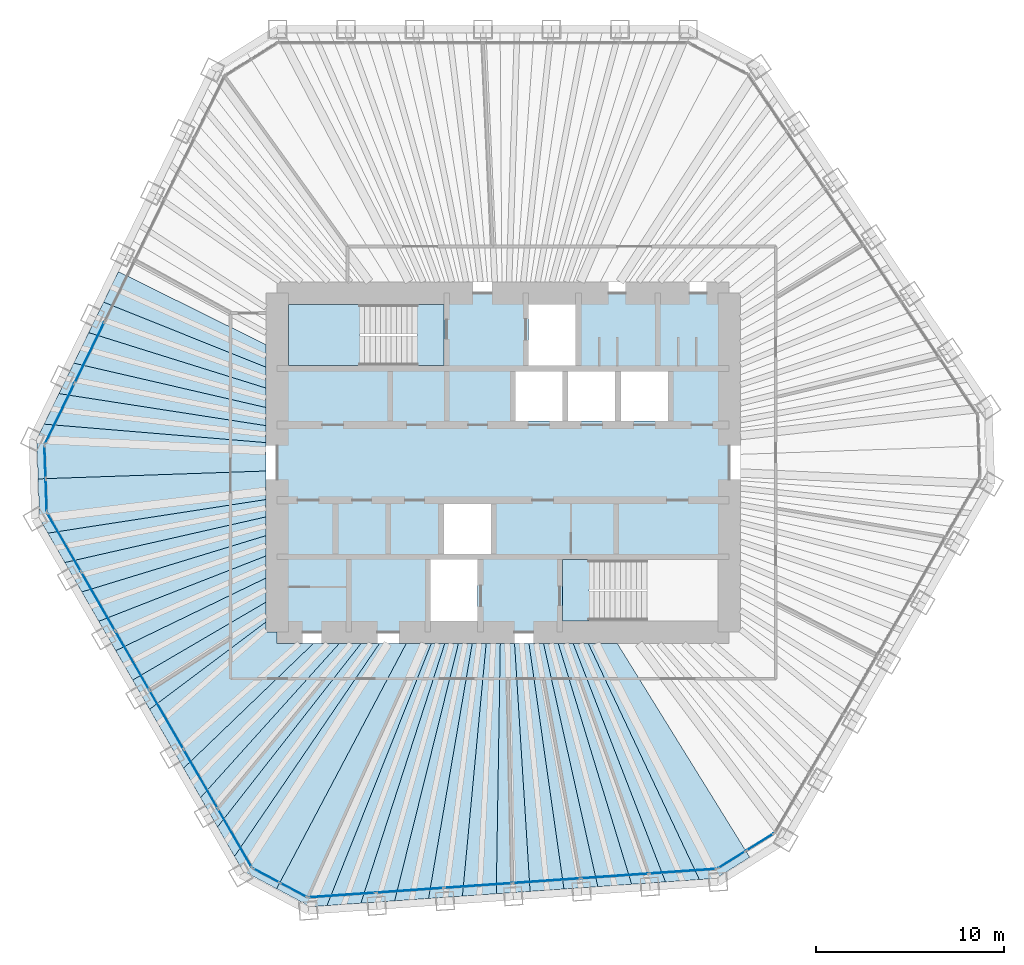
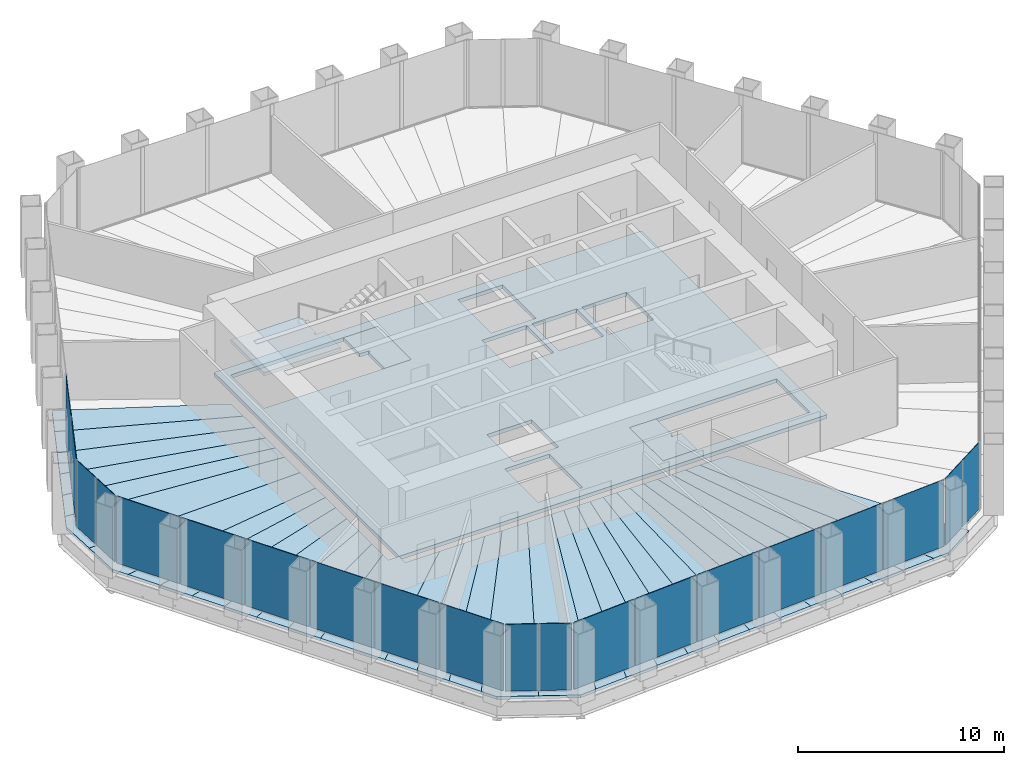
# One storey, part 8 of 13: 35 slabs, 20 plates, 8 elements without a shape of their own.
"""IFC4 building model written with IfcOpenShell, lengths in metres."""

from ifc_helpers import new_model, si_unit, direction, frame, origin, origin_2d, place, context, subcontext, project, spatial, polyline, rectangle, outline, extrude, material, layer, layer_set, type_object, element, aggregate, save


model = new_model("IFC4")

# Units and contexts
model_context = context("Model", 3, precision=1e-05, world=origin(), true_north=direction((0.0, 1.0)))
body_context = subcontext(model_context, "Body", "Model", "MODEL_VIEW")
ifc_project = project(units=[si_unit("LENGTHUNIT", "METRE"), si_unit("AREAUNIT", "SQUARE_METRE"), si_unit("VOLUMEUNIT", "CUBIC_METRE"), si_unit("PLANEANGLEUNIT", "RADIAN"), si_unit("MASSUNIT", "GRAM", prefix="KILO")], contexts=[model_context])

# Site, building, storey
site_placement = place(None, origin())
site = spatial("IfcSite", under=ifc_project, at=site_placement, CompositionType="ELEMENT")
building_placement = place(site_placement, origin())
building = spatial("IfcBuilding", under=site, at=building_placement, Name="Qingtian Harvest Tower", CompositionType="ELEMENT")
storey_placement = place(building_placement, frame((0.0, 0.0, 222.39990234375)))
storey = spatial("IfcBuildingStorey", under=building, at=storey_placement, Name="L48", CompositionType="ELEMENT", Elevation=222.39990234375)

# Slabs
ifc_material_1 = material(Name="Concrete fc' 35 MPa", Category="concrete")
ifc_layer_1 = layer(ifc_material_1, 0.169921875)
ifc_layer_set_1 = layer_set([ifc_layer_1], Name="Composite floor slab FS17 170")
slab_type_1 = type_object("IfcSlabType", Name="Composite floor slab FS17 170", PredefinedType="FLOOR", material=ifc_layer_set_1)
slab_1_placement = place(storey_placement, frame((0.0, 0.0, -0.169921875)))
element("IfcSlab", 1, at=slab_1_placement, inside=storey, type_object=slab_type_1, Name="Floor slab L48 panel D01", PredefinedType="FLOOR", context=body_context, shape_type="SweptSolid", body=[
    extrude(outline(polyline([(-24.6865234375, -0.862060546875), (-12.60009765625, -0.443115234375), (-12.60009765625, -1.958984375), (-24.17236328125, -3.742431640625), (-24.612548828125, -2.979736328125), (-24.6865234375, -0.862060546875)])), origin(), (0.0, 0.0, 1.0), 0.169921875),
])
slab_2_placement = place(storey_placement, frame((0.0, 0.0, -0.169921875)))
element("IfcSlab", 2, at=slab_2_placement, inside=storey, type_object=slab_type_1, Name="Floor slab L48 panel D02", PredefinedType="FLOOR", context=body_context, shape_type="SweptSolid", body=[
    extrude(outline(polyline([(-12.60009765625, -2.880126953125), (-23.271484375, -5.302490234375), (-24.17236328125, -3.742431640625), (-12.60009765625, -1.958984375), (-12.60009765625, -2.880126953125)])), origin(), (0.0, 0.0, 1.0), 0.169921875),
])
slab_3_placement = place(storey_placement, frame((0.0, 0.0, -0.169921875)))
element("IfcSlab", 3, at=slab_3_placement, inside=storey, type_object=slab_type_1, Name="Floor slab L48 panel D03", PredefinedType="FLOOR", context=body_context, shape_type="SweptSolid", body=[
    extrude(outline(polyline([(-12.60009765625, -3.87548828125), (-22.370849609375, -6.862548828125), (-23.271484375, -5.302490234375), (-12.60009765625, -2.880126953125), (-12.60009765625, -3.87548828125)])), origin(), (0.0, 0.0, 1.0), 0.169921875),
])
slab_4_placement = place(storey_placement, frame((0.0, 0.0, -0.169921875)))
element("IfcSlab", 4, at=slab_4_placement, inside=storey, type_object=slab_type_1, Name="Floor slab L48 panel D04", PredefinedType="FLOOR", context=body_context, shape_type="SweptSolid", body=[
    extrude(outline(polyline([(-12.60009765625, -4.95458984375), (-21.47021484375, -8.422607421875), (-22.370849609375, -6.862548828125), (-12.60009765625, -3.87548828125), (-12.60009765625, -4.95458984375)])), origin(), (0.0, 0.0, 1.0), 0.169921875),
])
slab_5_placement = place(storey_placement, frame((0.0, 0.0, -0.169921875)))
element("IfcSlab", 5, at=slab_5_placement, inside=storey, type_object=slab_type_1, Name="Floor slab L48 panel D05", PredefinedType="FLOOR", context=body_context, shape_type="SweptSolid", body=[
    extrude(outline(polyline([(-12.60009765625, -6.128173828125), (-20.569580078125, -9.982666015625), (-21.47021484375, -8.422607421875), (-12.60009765625, -4.95458984375), (-12.60009765625, -6.128173828125)])), origin(), (0.0, 0.0, 1.0), 0.169921875),
])
slab_6_placement = place(storey_placement, frame((0.0, 0.0, -0.169921875)))
element("IfcSlab", 6, at=slab_6_placement, inside=storey, type_object=slab_type_1, Name="Floor slab L48 panel D06", PredefinedType="FLOOR", context=body_context, shape_type="SweptSolid", body=[
    extrude(outline(polyline([(-12.60009765625, -7.409423828125), (-19.668701171875, -11.542724609375), (-20.569580078125, -9.982666015625), (-12.60009765625, -6.128173828125), (-12.60009765625, -7.409423828125)])), origin(), (0.0, 0.0, 1.0), 0.169921875),
])
slab_7_placement = place(storey_placement, frame((0.0, 0.0, -0.169921875)))
element("IfcSlab", 7, at=slab_7_placement, inside=storey, type_object=slab_type_1, Name="Floor slab L48 panel D07", PredefinedType="FLOOR", context=body_context, shape_type="SweptSolid", body=[
    extrude(outline(polyline([(-12.60009765625, -8.46435546875), (-18.771728515625, -13.0966796875), (-19.668701171875, -11.542724609375), (-12.60009765625, -7.409423828125), (-12.60009765625, -8.46435546875)])), origin(), (0.0, 0.0, 1.0), 0.169921875),
])
slab_8_placement = place(storey_placement, frame((0.0, 0.0, -0.169921875)))
element("IfcSlab", 8, at=slab_8_placement, inside=storey, type_object=slab_type_1, Name="Floor slab L48 panel D09", PredefinedType="FLOOR", context=body_context, shape_type="SweptSolid", body=[
    extrude(outline(polyline([(-16.967041015625, -16.22216796875), (-18.771728515625, -13.0966796875), (-12.60009765625, -8.46435546875), (-12.60009765625, -9.0), (-12.0, -9.0), (-12.0, -9.60009765625), (-10.07666015625, -9.60009765625), (-16.967041015625, -16.22216796875)])), origin(), (0.0, 0.0, 1.0), 0.169921875),
])
slab_9_placement = place(storey_placement, frame((0.0, 0.0, -0.169921875)))
element("IfcSlab", 9, at=slab_9_placement, inside=storey, type_object=slab_type_1, Name="Floor slab L48 panel D10", PredefinedType="FLOOR", context=body_context, shape_type="SweptSolid", body=[
    extrude(outline(polyline([(-8.700927734375, -9.60009765625), (-16.06640625, -17.7822265625), (-16.967041015625, -16.22216796875), (-10.07666015625, -9.60009765625), (-8.700927734375, -9.60009765625)])), origin(), (0.0, 0.0, 1.0), 0.169921875),
])
slab_10_placement = place(storey_placement, frame((0.0, 0.0, -0.169921875)))
element("IfcSlab", 10, at=slab_10_placement, inside=storey, type_object=slab_type_1, Name="Floor slab L48 panel D11", PredefinedType="FLOOR", context=body_context, shape_type="SweptSolid", body=[
    extrude(outline(polyline([(-7.548095703125, -9.60009765625), (-15.16552734375, -19.34228515625), (-16.06640625, -17.7822265625), (-8.700927734375, -9.60009765625), (-7.548095703125, -9.60009765625)])), origin(), (0.0, 0.0, 1.0), 0.169921875),
])
slab_11_placement = place(storey_placement, frame((0.0, 0.0, -0.169921875)))
element("IfcSlab", 11, at=slab_11_placement, inside=storey, type_object=slab_type_1, Name="Floor slab L48 panel D12", PredefinedType="FLOOR", context=body_context, shape_type="SweptSolid", body=[
    extrude(outline(polyline([(-6.568359375, -9.60009765625), (-14.264892578125, -20.90234375), (-15.16552734375, -19.34228515625), (-7.548095703125, -9.60009765625), (-6.568359375, -9.60009765625)])), origin(), (0.0, 0.0, 1.0), 0.169921875),
])
slab_12_placement = place(storey_placement, frame((0.0, 0.0, -0.169921875)))
element("IfcSlab", 12, at=slab_12_placement, inside=storey, type_object=slab_type_1, Name="Floor slab L48 panel D13", PredefinedType="FLOOR", context=body_context, shape_type="SweptSolid", body=[
    extrude(outline(polyline([(-6.568359375, -9.60009765625), (-5.14501953125, -9.60009765625), (-12.028076171875, -22.620361328125), (-13.82470703125, -21.6650390625), (-14.264892578125, -20.90234375), (-6.568359375, -9.60009765625)])), origin(), (0.0, 0.0, 1.0), 0.169921875),
])
slab_13_placement = place(storey_placement, frame((0.0, 0.0, -0.169921875)))
element("IfcSlab", 13, at=slab_13_placement, inside=storey, type_object=slab_type_1, Name="Floor slab L48 panel D14", PredefinedType="FLOOR", context=body_context, shape_type="SweptSolid", body=[
    extrude(outline(polyline([(-5.14501953125, -9.60009765625), (-3.817138671875, -9.60009765625), (-9.352294921875, -23.5146484375), (-10.23046875, -23.576171875), (-12.028076171875, -22.620361328125), (-5.14501953125, -9.60009765625)])), origin(), (0.0, 0.0, 1.0), 0.169921875),
])
slab_14_placement = place(storey_placement, frame((0.0, 0.0, -0.169921875)))
element("IfcSlab", 14, at=slab_14_placement, inside=storey, type_object=slab_type_1, Name="Floor slab L48 panel D15", PredefinedType="FLOOR", context=body_context, shape_type="SweptSolid", body=[
    extrude(outline(polyline([(-3.10009765625, -9.60009765625), (-7.55517578125, -23.388916015625), (-9.352294921875, -23.5146484375), (-3.817138671875, -9.60009765625), (-3.10009765625, -9.60009765625)])), origin(), (0.0, 0.0, 1.0), 0.169921875),
])
slab_15_placement = place(storey_placement, frame((0.0, 0.0, -0.169921875)))
element("IfcSlab", 15, at=slab_15_placement, inside=storey, type_object=slab_type_1, Name="Floor slab L48 panel D16", PredefinedType="FLOOR", context=body_context, shape_type="SweptSolid", body=[
    extrude(outline(polyline([(-2.375244140625, -9.60009765625), (-5.75830078125, -23.263427734375), (-7.55517578125, -23.388916015625), (-3.10009765625, -9.60009765625), (-2.375244140625, -9.60009765625)])), origin(), (0.0, 0.0, 1.0), 0.169921875),
])
slab_16_placement = place(storey_placement, frame((0.0, 0.0, -0.169921875)))
element("IfcSlab", 16, at=slab_16_placement, inside=storey, type_object=slab_type_1, Name="Floor slab L48 panel D17", PredefinedType="FLOOR", context=body_context, shape_type="SweptSolid", body=[
    extrude(outline(polyline([(-1.642578125, -9.60009765625), (-3.96142578125, -23.1376953125), (-5.75830078125, -23.263427734375), (-2.375244140625, -9.60009765625), (-1.642578125, -9.60009765625)])), origin(), (0.0, 0.0, 1.0), 0.169921875),
])
slab_17_placement = place(storey_placement, frame((0.0, 0.0, -0.169921875)))
element("IfcSlab", 17, at=slab_17_placement, inside=storey, type_object=slab_type_1, Name="Floor slab L48 panel D18", PredefinedType="FLOOR", context=body_context, shape_type="SweptSolid", body=[
    extrude(outline(polyline([(-0.90185546875, -9.60009765625), (-2.164306640625, -23.011962890625), (-3.96142578125, -23.1376953125), (-1.642578125, -9.60009765625), (-0.90185546875, -9.60009765625)])), origin(), (0.0, 0.0, 1.0), 0.169921875),
])
slab_18_placement = place(storey_placement, frame((0.0, 0.0, -0.169921875)))
element("IfcSlab", 18, at=slab_18_placement, inside=storey, type_object=slab_type_1, Name="Floor slab L48 panel D19", PredefinedType="FLOOR", context=body_context, shape_type="SweptSolid", body=[
    extrude(outline(polyline([(-0.153076171875, -9.60009765625), (-0.367431640625, -22.886474609375), (-2.164306640625, -23.011962890625), (-0.90185546875, -9.60009765625), (-0.153076171875, -9.60009765625)])), origin(), (0.0, 0.0, 1.0), 0.169921875),
])
slab_19_placement = place(storey_placement, frame((0.0, 0.0, -0.169921875)))
element("IfcSlab", 19, at=slab_19_placement, inside=storey, type_object=slab_type_1, Name="Floor slab L48 panel D20", PredefinedType="FLOOR", context=body_context, shape_type="SweptSolid", body=[
    extrude(outline(polyline([(0.60400390625, -9.60009765625), (1.4296875, -22.7607421875), (-0.367431640625, -22.886474609375), (-0.153076171875, -9.60009765625), (0.60400390625, -9.60009765625)])), origin(), (0.0, 0.0, 1.0), 0.169921875),
])
slab_20_placement = place(storey_placement, frame((0.0, 0.0, -0.169921875)))
element("IfcSlab", 20, at=slab_20_placement, inside=storey, type_object=slab_type_1, Name="Floor slab L48 panel D21", PredefinedType="FLOOR", context=body_context, shape_type="SweptSolid", body=[
    extrude(outline(polyline([(1.36962890625, -9.60009765625), (3.2265625, -22.635009765625), (1.4296875, -22.7607421875), (0.60400390625, -9.60009765625), (1.36962890625, -9.60009765625)])), origin(), (0.0, 0.0, 1.0), 0.169921875),
])
slab_21_placement = place(storey_placement, frame((0.0, 0.0, -0.169921875)))
element("IfcSlab", 21, at=slab_21_placement, inside=storey, type_object=slab_type_1, Name="Floor slab L48 panel D22", PredefinedType="FLOOR", context=body_context, shape_type="SweptSolid", body=[
    extrude(outline(polyline([(2.1435546875, -9.60009765625), (5.023681640625, -22.509521484375), (3.2265625, -22.635009765625), (1.36962890625, -9.60009765625), (2.1435546875, -9.60009765625)])), origin(), (0.0, 0.0, 1.0), 0.169921875),
])
slab_22_placement = place(storey_placement, frame((0.0, 0.0, -0.169921875)))
element("IfcSlab", 22, at=slab_22_placement, inside=storey, type_object=slab_type_1, Name="Floor slab L48 panel D23", PredefinedType="FLOOR", context=body_context, shape_type="SweptSolid", body=[
    extrude(outline(polyline([(2.92626953125, -9.60009765625), (6.820556640625, -22.3837890625), (5.023681640625, -22.509521484375), (2.1435546875, -9.60009765625), (2.92626953125, -9.60009765625)])), origin(), (0.0, 0.0, 1.0), 0.169921875),
])
slab_23_placement = place(storey_placement, frame((0.0, 0.0, -0.169921875)))
element("IfcSlab", 23, at=slab_23_placement, inside=storey, type_object=slab_type_1, Name="Floor slab L48 panel D24", PredefinedType="FLOOR", context=body_context, shape_type="SweptSolid", body=[
    extrude(outline(polyline([(3.718017578125, -9.60009765625), (8.61767578125, -22.258056640625), (6.820556640625, -22.3837890625), (2.92626953125, -9.60009765625), (3.718017578125, -9.60009765625)])), origin(), (0.0, 0.0, 1.0), 0.169921875),
])
slab_24_placement = place(storey_placement, frame((0.0, 0.0, -0.169921875)))
element("IfcSlab", 24, at=slab_24_placement, inside=storey, type_object=slab_type_1, Name="Floor slab L48 panel D25", PredefinedType="FLOOR", context=body_context, shape_type="SweptSolid", body=[
    extrude(outline(polyline([(4.5185546875, -9.60009765625), (10.41455078125, -22.13232421875), (8.61767578125, -22.258056640625), (3.718017578125, -9.60009765625), (4.5185546875, -9.60009765625)])), origin(), (0.0, 0.0, 1.0), 0.169921875),
])
slab_25_placement = place(storey_placement, frame((0.0, 0.0, -0.169921875)))
element("IfcSlab", 25, at=slab_25_placement, inside=storey, type_object=slab_type_1, Name="Floor slab L48 panel D26", PredefinedType="FLOOR", context=body_context, shape_type="SweptSolid", body=[
    extrude(outline(polyline([(4.5185546875, -9.60009765625), (6.059326171875, -9.60009765625), (13.090576171875, -20.94775390625), (11.292724609375, -22.071044921875), (10.41455078125, -22.13232421875), (4.5185546875, -9.60009765625)])), origin(), (0.0, 0.0, 1.0), 0.169921875),
])
slab_26_placement = place(storey_placement, frame((0.0, 0.0, -0.169921875)))
element("IfcSlab", 26, at=slab_26_placement, inside=storey, type_object=slab_type_1, Name="Floor slab L48 panel D73", PredefinedType="FLOOR", context=body_context, shape_type="SweptSolid", body=[
    extrude(outline(polyline([(-12.60009765625, 5.072509765625), (-21.2158203125, 8.5234375), (-20.426025390625, 10.142578125), (-12.60009765625, 6.268310546875), (-12.60009765625, 5.072509765625)])), origin(), (0.0, 0.0, 1.0), 0.169921875),
])
slab_27_placement = place(storey_placement, frame((0.0, 0.0, -0.169921875)))
element("IfcSlab", 27, at=slab_27_placement, inside=storey, type_object=slab_type_1, Name="Floor slab L48 panel D74", PredefinedType="FLOOR", context=body_context, shape_type="SweptSolid", body=[
    extrude(outline(polyline([(-12.60009765625, 3.962890625), (-22.00537109375, 6.904296875), (-21.2158203125, 8.5234375), (-12.60009765625, 5.072509765625), (-12.60009765625, 3.962890625)])), origin(), (0.0, 0.0, 1.0), 0.169921875),
])
slab_28_placement = place(storey_placement, frame((0.0, 0.0, -0.169921875)))
element("IfcSlab", 28, at=slab_28_placement, inside=storey, type_object=slab_type_1, Name="Floor slab L48 panel D75", PredefinedType="FLOOR", context=body_context, shape_type="SweptSolid", body=[
    extrude(outline(polyline([(-12.60009765625, 2.929931640625), (-22.795166015625, 5.28515625), (-22.00537109375, 6.904296875), (-12.60009765625, 3.962890625), (-12.60009765625, 2.929931640625)])), origin(), (0.0, 0.0, 1.0), 0.169921875),
])
slab_29_placement = place(storey_placement, frame((0.0, 0.0, -0.169921875)))
element("IfcSlab", 29, at=slab_29_placement, inside=storey, type_object=slab_type_1, Name="Floor slab L48 panel D76", PredefinedType="FLOOR", context=body_context, shape_type="SweptSolid", body=[
    extrude(outline(polyline([(-12.60009765625, 1.96630859375), (-23.584716796875, 3.666259765625), (-22.795166015625, 5.28515625), (-12.60009765625, 2.929931640625), (-12.60009765625, 1.96630859375)])), origin(), (0.0, 0.0, 1.0), 0.169921875),
])
slab_30_placement = place(storey_placement, frame((0.0, 0.0, -0.169921875)))
element("IfcSlab", 30, at=slab_30_placement, inside=storey, type_object=slab_type_1, Name="Floor slab L48 panel D77", PredefinedType="FLOOR", context=body_context, shape_type="SweptSolid", body=[
    extrude(outline(polyline([(-12.60009765625, 1.065185546875), (-24.37451171875, 2.047119140625), (-23.584716796875, 3.666259765625), (-12.60009765625, 1.96630859375), (-12.60009765625, 1.065185546875)])), origin(), (0.0, 0.0, 1.0), 0.169921875),
])
slab_31_placement = place(storey_placement, frame((0.0, 0.0, -0.169921875)))
element("IfcSlab", 31, at=slab_31_placement, inside=storey, type_object=slab_type_1, Name="Floor slab L48 panel D78", PredefinedType="FLOOR", context=body_context, shape_type="SweptSolid", body=[
    extrude(outline(polyline([(-12.60009765625, 1.065185546875), (-12.60009765625, -0.443115234375), (-24.6865234375, -0.862060546875), (-24.760498046875, 1.255615234375), (-24.37451171875, 2.047119140625), (-12.60009765625, 1.065185546875)])), origin(), (0.0, 0.0, 1.0), 0.169921875),
])
ifc_material_2 = material(Name="Concrete fc' 35 MPa", Category="concrete")
ifc_layer_2 = layer(ifc_material_2, 0.219970703125)
ifc_layer_set_2 = layer_set([ifc_layer_2], Name="Core floor slab CS22 220")
slab_type_2 = type_object("IfcSlabType", Name="Core floor slab CS22 220", PredefinedType="FLOOR", material=ifc_layer_set_2)
slab_32_placement = place(storey_placement, frame((0.0, 0.0, -0.219970703125)))
element("IfcSlab", 32, at=slab_32_placement, inside=storey, type_object=slab_type_2, Name="Core floor slab L48", PredefinedType="FLOOR", context=body_context, shape_type="SweptSolid", body=[
    extrude(outline(polyline([(-12.0, -9.0), (12.0, -9.0), (12.0, 9.0), (-12.0, 9.0), (-12.0, -9.0)]), holes=[polyline([(-11.39990234375, 5.14990234375), (-3.14990234375, 5.14990234375), (-3.14990234375, 8.39990234375), (-11.39990234375, 8.39990234375), (-11.39990234375, 5.14990234375)]), polyline([(3.14990234375, -8.39990234375), (11.39990234375, -8.39990234375), (11.39990234375, -5.14990234375), (3.14990234375, -5.14990234375), (3.14990234375, -8.39990234375)]), polyline([(1.35009765625, 5.14990234375), (3.85009765625, 5.14990234375), (3.85009765625, 8.39990234375), (1.35009765625, 8.39990234375), (1.35009765625, 5.14990234375)]), polyline([(-3.85009765625, -8.39990234375), (-1.35009765625, -8.39990234375), (-1.35009765625, -5.14990234375), (-3.85009765625, -5.14990234375), (-3.85009765625, -8.39990234375)]), polyline([(0.64990234375, 2.199951171875), (3.14990234375, 2.199951171875), (3.14990234375, 4.85009765625), (0.64990234375, 4.85009765625), (0.64990234375, 2.199951171875)]), polyline([(3.449951171875, 2.199951171875), (5.949951171875, 2.199951171875), (5.949951171875, 4.85009765625), (3.449951171875, 4.85009765625), (3.449951171875, 2.199951171875)]), polyline([(6.25, 2.199951171875), (8.75, 2.199951171875), (8.75, 4.85009765625), (6.25, 4.85009765625), (6.25, 2.199951171875)]), polyline([(-3.14990234375, -4.85009765625), (-0.64990234375, -4.85009765625), (-0.64990234375, -2.199951171875), (-3.14990234375, -2.199951171875), (-3.14990234375, -4.85009765625)])]), origin(), (0.0, 0.0, 1.0), 0.219970703125),
])

# Curtain wall, plates
ifc_material_3 = material(Name="Bronze-anodised aluminium curtain wall", Category="aluminium")
curtain_wall_type = type_object("IfcCurtainWallType", Name="Curtain wall CW4 office", PredefinedType="USERDEFINED", material=ifc_material_3)
curtain_wall_1_placement = place(storey_placement, origin())
curtain_wall_1 = element("IfcCurtainWall", 33, at=curtain_wall_1_placement, inside=storey, type_object=curtain_wall_type, Name="Curtain wall CW4 L48 SEC", ObjectType="RECESSED CURTAIN WALL", PredefinedType="USERDEFINED")
ifc_material_4 = material(Name="Bronze-tinted laminated insulating glass", Category="glass")
ifc_layer_3 = layer(ifc_material_4, 0.030029296875)
ifc_layer_set_3 = layer_set([ifc_layer_3], Name="Glazed panel CWP tinted IGU")
plate_type = type_object("IfcPlateType", Name="Glazed panel CWP tinted IGU", PredefinedType="CURTAIN_PANEL", material=ifc_layer_set_3)
plate_1_placement = place(storey_placement, frame((13.624755859375, -20.1455078125, 0.06494140625), z_axis=(0.0, 0.0, 1.0), x_axis=(-0.848048096156, -0.529919264233, 0.0)))
plate_1 = element("IfcPlate", 34, at=plate_1_placement, type_object=plate_type, Name="CW4 panel 1.1", PredefinedType="CURTAIN_PANEL", context=body_context, shape_type="SweptSolid", body=[
    extrude(rectangle(XDim=1.69287109375, YDim=0.030029296875, at=origin_2d()), origin(), (0.0, 0.0, 1.0), 3.965087890625),
])
plate_2_placement = place(storey_placement, frame((12.134033203125, -21.076904296875, 0.06494140625), z_axis=(0.0, 0.0, 1.0), x_axis=(-0.848048096156, -0.529919264233, 0.0)))
plate_2 = element("IfcPlate", 35, at=plate_2_placement, type_object=plate_type, Name="CW4 panel 2.1", PredefinedType="CURTAIN_PANEL", context=body_context, shape_type="SweptSolid", body=[
    extrude(rectangle(XDim=1.69287109375, YDim=0.030029296875, at=origin_2d()), origin(), (0.0, 0.0, 1.0), 3.965087890625),
])
aggregate(curtain_wall_1, [plate_1, plate_2])

curtain_wall_2_placement = place(storey_placement, origin())
curtain_wall_2 = element("IfcCurtainWall", 36, at=curtain_wall_2_placement, inside=storey, type_object=curtain_wall_type, Name="Curtain wall CW4 L48 S0-5", ObjectType="RECESSED CURTAIN WALL", PredefinedType="USERDEFINED")
plate_3_placement = place(storey_placement, frame((9.532470703125, -21.68798828125, 0.06494140625), z_axis=(0.0, 0.0, 1.0), x_axis=(-0.99756405026, -0.069756473744, 0.0)))
plate_3 = element("IfcPlate", 37, at=plate_3_placement, type_object=plate_type, Name="CW4 panel 1.1", PredefinedType="CURTAIN_PANEL", context=body_context, shape_type="SweptSolid", body=[
    extrude(rectangle(XDim=3.5361328125, YDim=0.030029296875, at=origin_2d()), origin(), (0.0, 0.0, 1.0), 3.965087890625),
])
plate_4_placement = place(storey_placement, frame((5.923828125, -21.940185546875, 0.06494140625), z_axis=(0.0, 0.0, 1.0), x_axis=(-0.99756405026, -0.069756473744, 0.0)))
plate_4 = element("IfcPlate", 38, at=plate_4_placement, type_object=plate_type, Name="CW4 panel 2.1", PredefinedType="CURTAIN_PANEL", context=body_context, shape_type="SweptSolid", body=[
    extrude(rectangle(XDim=3.568603515625, YDim=0.030029296875, at=origin_2d()), origin(), (0.0, 0.0, 1.0), 3.965087890625),
])
plate_5_placement = place(storey_placement, frame((2.299072265625, -22.193603515625, 0.06494140625), z_axis=(0.0, 0.0, 1.0), x_axis=(-0.99756405026, -0.069756473744, 0.0)))
plate_5 = element("IfcPlate", 39, at=plate_5_placement, type_object=plate_type, Name="CW4 panel 3.1", PredefinedType="CURTAIN_PANEL", context=body_context, shape_type="SweptSolid", body=[
    extrude(rectangle(XDim=3.568603515625, YDim=0.030029296875, at=origin_2d()), origin(), (0.0, 0.0, 1.0), 3.965087890625),
])
plate_6_placement = place(storey_placement, frame((-1.325439453125, -22.447021484375, 0.06494140625), z_axis=(0.0, 0.0, 1.0), x_axis=(-0.99756405026, -0.069756473744, 0.0)))
plate_6 = element("IfcPlate", 40, at=plate_6_placement, type_object=plate_type, Name="CW4 panel 4.1", PredefinedType="CURTAIN_PANEL", context=body_context, shape_type="SweptSolid", body=[
    extrude(rectangle(XDim=3.568603515625, YDim=0.030029296875, at=origin_2d()), origin(), (0.0, 0.0, 1.0), 3.965087890625),
])
plate_7_placement = place(storey_placement, frame((-4.9501953125, -22.70068359375, 0.06494140625), z_axis=(0.0, 0.0, 1.0), x_axis=(-0.99756405026, -0.069756473744, 0.0)))
plate_7 = element("IfcPlate", 41, at=plate_7_placement, type_object=plate_type, Name="CW4 panel 5.1", PredefinedType="CURTAIN_PANEL", context=body_context, shape_type="SweptSolid", body=[
    extrude(rectangle(XDim=3.568603515625, YDim=0.030029296875, at=origin_2d()), origin(), (0.0, 0.0, 1.0), 3.965087890625),
])
plate_8_placement = place(storey_placement, frame((-8.55859375, -22.952880859375, 0.06494140625), z_axis=(0.0, 0.0, 1.0), x_axis=(-0.99756405026, -0.069756473744, 0.0)))
plate_8 = element("IfcPlate", 42, at=plate_8_placement, type_object=plate_type, Name="CW4 panel 6.1", PredefinedType="CURTAIN_PANEL", context=body_context, shape_type="SweptSolid", body=[
    extrude(rectangle(XDim=3.5361328125, YDim=0.030029296875, at=origin_2d()), origin(), (0.0, 0.0, 1.0), 3.965087890625),
])
aggregate(curtain_wall_2, [plate_3, plate_4, plate_5, plate_6, plate_7, plate_8])

curtain_wall_3_placement = place(storey_placement, origin())
curtain_wall_3 = element("IfcCurtainWall", 43, at=curtain_wall_3_placement, inside=storey, type_object=curtain_wall_type, Name="Curtain wall CW4 L48 SC", ObjectType="RECESSED CURTAIN WALL", PredefinedType="USERDEFINED")
plate_9_placement = place(storey_placement, frame((-11.136474609375, -22.682373046875, 0.06494140625), z_axis=(0.0, 0.0, 1.0), x_axis=(-0.882947592859, 0.469471562786, 0.0)))
plate_9 = element("IfcPlate", 44, at=plate_9_placement, type_object=plate_type, Name="CW4 panel 1.1", PredefinedType="CURTAIN_PANEL", context=body_context, shape_type="SweptSolid", body=[
    extrude(rectangle(XDim=1.56689453125, YDim=0.030029296875, at=origin_2d()), origin(), (0.0, 0.0, 1.0), 3.965087890625),
])
plate_10_placement = place(storey_placement, frame((-12.5771484375, -21.916259765625, 0.06494140625), z_axis=(0.0, 0.0, 1.0), x_axis=(-0.882947592859, 0.469471562786, 0.0)))
plate_10 = element("IfcPlate", 45, at=plate_10_placement, type_object=plate_type, Name="CW4 panel 2.1", PredefinedType="CURTAIN_PANEL", context=body_context, shape_type="SweptSolid", body=[
    extrude(rectangle(XDim=1.56689453125, YDim=0.030029296875, at=origin_2d()), origin(), (0.0, 0.0, 1.0), 3.965087890625),
])
aggregate(curtain_wall_3, [plate_9, plate_10])

curtain_wall_4_placement = place(storey_placement, origin())
curtain_wall_4 = element("IfcCurtainWall", 46, at=curtain_wall_4_placement, inside=storey, type_object=curtain_wall_type, Name="Curtain wall CW4 L48 SW0-5", ObjectType="RECESSED CURTAIN WALL", PredefinedType="USERDEFINED")
plate_11_placement = place(storey_placement, frame((-14.242919921875, -19.9306640625, 0.06494140625), z_axis=(0.0, 0.0, 1.0), x_axis=(-0.5, 0.866025403784, 0.0)))
plate_11 = element("IfcPlate", 47, at=plate_11_placement, type_object=plate_type, Name="CW4 panel 1.1", PredefinedType="CURTAIN_PANEL", context=body_context, shape_type="SweptSolid", body=[
    extrude(rectangle(XDim=3.5361328125, YDim=0.030029296875, at=origin_2d()), origin(), (0.0, 0.0, 1.0), 3.965087890625),
])
plate_12_placement = place(storey_placement, frame((-16.051513671875, -16.7978515625, 0.06494140625), z_axis=(0.0, 0.0, 1.0), x_axis=(-0.5, 0.866025403784, 0.0)))
plate_12 = element("IfcPlate", 48, at=plate_12_placement, type_object=plate_type, Name="CW4 panel 2.1", PredefinedType="CURTAIN_PANEL", context=body_context, shape_type="SweptSolid", body=[
    extrude(rectangle(XDim=3.568603515625, YDim=0.030029296875, at=origin_2d()), origin(), (0.0, 0.0, 1.0), 3.965087890625),
])
plate_13_placement = place(storey_placement, frame((-17.868408203125, -13.651123046875, 0.06494140625), z_axis=(0.0, 0.0, 1.0), x_axis=(-0.5, 0.866025403784, 0.0)))
plate_13 = element("IfcPlate", 49, at=plate_13_placement, type_object=plate_type, Name="CW4 panel 3.1", PredefinedType="CURTAIN_PANEL", context=body_context, shape_type="SweptSolid", body=[
    extrude(rectangle(XDim=3.568603515625, YDim=0.030029296875, at=origin_2d()), origin(), (0.0, 0.0, 1.0), 3.965087890625),
])
plate_14_placement = place(storey_placement, frame((-19.68505859375, -10.50439453125, 0.06494140625), z_axis=(0.0, 0.0, 1.0), x_axis=(-0.5, 0.866025403784, 0.0)))
plate_14 = element("IfcPlate", 50, at=plate_14_placement, type_object=plate_type, Name="CW4 panel 4.1", PredefinedType="CURTAIN_PANEL", context=body_context, shape_type="SweptSolid", body=[
    extrude(rectangle(XDim=3.568603515625, YDim=0.030029296875, at=origin_2d()), origin(), (0.0, 0.0, 1.0), 3.965087890625),
])
plate_15_placement = place(storey_placement, frame((-21.501953125, -7.357666015625, 0.06494140625), z_axis=(0.0, 0.0, 1.0), x_axis=(-0.5, 0.866025403784, 0.0)))
plate_15 = element("IfcPlate", 51, at=plate_15_placement, type_object=plate_type, Name="CW4 panel 5.1", PredefinedType="CURTAIN_PANEL", context=body_context, shape_type="SweptSolid", body=[
    extrude(rectangle(XDim=3.568603515625, YDim=0.030029296875, at=origin_2d()), origin(), (0.0, 0.0, 1.0), 3.965087890625),
])
plate_16_placement = place(storey_placement, frame((-23.310546875, -4.22509765625, 0.06494140625), z_axis=(0.0, 0.0, 1.0), x_axis=(-0.5, 0.866025403784, 0.0)))
plate_16 = element("IfcPlate", 52, at=plate_16_placement, type_object=plate_type, Name="CW4 panel 6.1", PredefinedType="CURTAIN_PANEL", context=body_context, shape_type="SweptSolid", body=[
    extrude(rectangle(XDim=3.5361328125, YDim=0.030029296875, at=origin_2d()), origin(), (0.0, 0.0, 1.0), 3.965087890625),
])
aggregate(curtain_wall_4, [plate_11, plate_12, plate_13, plate_14, plate_15, plate_16])

curtain_wall_5_placement = place(storey_placement, origin())
curtain_wall_5 = element("IfcCurtainWall", 53, at=curtain_wall_5_placement, inside=storey, type_object=curtain_wall_type, Name="Curtain wall CW4 L48 SWC", ObjectType="RECESSED CURTAIN WALL", PredefinedType="USERDEFINED")
plate_17_placement = place(storey_placement, frame((-24.2587890625, -1.7265625, 0.06494140625), z_axis=(0.0, 0.0, 1.0), x_axis=(-0.034899496703, 0.999390827019, 0.0)))
plate_17 = element("IfcPlate", 54, at=plate_17_placement, type_object=plate_type, Name="CW4 panel 1.1", PredefinedType="CURTAIN_PANEL", context=body_context, shape_type="SweptSolid", body=[
    extrude(rectangle(XDim=1.69287109375, YDim=0.030029296875, at=origin_2d()), origin(), (0.0, 0.0, 1.0), 3.965087890625),
])
plate_18_placement = place(storey_placement, frame((-24.320068359375, 0.0302734375, 0.06494140625), z_axis=(0.0, 0.0, 1.0), x_axis=(-0.034899496703, 0.999390827019, 0.0)))
plate_18 = element("IfcPlate", 55, at=plate_18_placement, type_object=plate_type, Name="CW4 panel 2.1", PredefinedType="CURTAIN_PANEL", context=body_context, shape_type="SweptSolid", body=[
    extrude(rectangle(XDim=1.69287109375, YDim=0.030029296875, at=origin_2d()), origin(), (0.0, 0.0, 1.0), 3.965087890625),
])
aggregate(curtain_wall_5, [plate_17, plate_18])

curtain_wall_6_placement = place(storey_placement, origin())
curtain_wall_6 = element("IfcCurtainWall", 56, at=curtain_wall_6_placement, inside=storey, type_object=curtain_wall_type, Name="Curtain wall CW4 L48 NW0-5", ObjectType="RECESSED CURTAIN WALL", PredefinedType="USERDEFINED")
plate_19_placement = place(storey_placement, frame((-23.54833984375, 2.588623046875, 0.06494140625), z_axis=(0.0, 0.0, 1.0), x_axis=(0.438371146789, 0.898794046299, 0.0)))
plate_19 = element("IfcPlate", 57, at=plate_19_placement, type_object=plate_type, Name="CW4 panel 1.1", PredefinedType="CURTAIN_PANEL", context=body_context, shape_type="SweptSolid", body=[
    extrude(rectangle(XDim=3.5361328125, YDim=0.030029296875, at=origin_2d()), origin(), (0.0, 0.0, 1.0), 3.965087890625),
])
plate_20_placement = place(storey_placement, frame((-21.962646484375, 5.83984375, 0.06494140625), z_axis=(0.0, 0.0, 1.0), x_axis=(0.438371146789, 0.898794046299, 0.0)))
plate_20 = element("IfcPlate", 58, at=plate_20_placement, type_object=plate_type, Name="CW4 panel 2.1", PredefinedType="CURTAIN_PANEL", context=body_context, shape_type="SweptSolid", body=[
    extrude(rectangle(XDim=3.568603515625, YDim=0.030029296875, at=origin_2d()), origin(), (0.0, 0.0, 1.0), 3.965087890625),
])
aggregate(curtain_wall_6, [plate_19, plate_20])

# Stair, slabs
ifc_material_5 = material(Name="Concrete fc' 35 MPa", Category="concrete")
stair_type = type_object("IfcStairType", Name="Special stair ST4 4200", PredefinedType="HALF_TURN_STAIR", material=ifc_material_5)
stair_1_placement = place(storey_placement, origin())
stair_1 = element("IfcStair", 59, at=stair_1_placement, inside=storey, type_object=stair_type, Name="Special stair S1 L48", PredefinedType="HALF_TURN_STAIR")
ifc_material_6 = material(Name="Concrete fc' 35 MPa", Category="concrete")
ifc_layer_4 = layer(ifc_material_6, 0.199951171875)
ifc_layer_set_4 = layer_set([ifc_layer_4], Name="Stair landing SL2 200")
slab_type_3 = type_object("IfcSlabType", Name="Stair landing SL2 200", PredefinedType="LANDING", material=ifc_layer_set_4)
slab_33_placement = place(storey_placement, frame((0.0, 0.0, -0.199951171875)))
slab_33 = element("IfcSlab", 60, at=slab_33_placement, type_object=slab_type_3, Name="S1 landing 1", PredefinedType="LANDING", context=body_context, shape_type="SweptSolid", body=[
    extrude(outline(polyline([(-4.64990234375, 5.14990234375), (-4.64990234375, 6.72509765625), (-4.550048828125, 6.72509765625), (-4.550048828125, 6.824951171875), (-5.0849609375, 6.824951171875), (-5.0849609375, 8.39990234375), (-3.14990234375, 8.39990234375), (-3.14990234375, 5.14990234375), (-4.64990234375, 5.14990234375)])), origin(), (0.0, 0.0, 1.0), 0.199951171875),
])
slab_34_placement = place(storey_placement, frame((0.0, 0.0, 1.900146484375)))
slab_34 = element("IfcSlab", 61, at=slab_34_placement, type_object=slab_type_3, Name="S1 landing 2", PredefinedType="LANDING", context=body_context, shape_type="SweptSolid", body=[
    extrude(outline(polyline([(-7.094970703125, 5.14990234375), (-11.39990234375, 5.14990234375), (-11.39990234375, 8.39990234375), (-7.530029296875, 8.39990234375), (-7.530029296875, 6.824951171875), (-7.6298828125, 6.824951171875), (-7.6298828125, 6.72509765625), (-7.094970703125, 6.72509765625), (-7.094970703125, 5.14990234375)])), origin(), (0.0, 0.0, 1.0), 0.199951171875),
])
aggregate(stair_1, [slab_33, slab_34])

# Stair, slab
stair_2_placement = place(storey_placement, origin())
stair_2 = element("IfcStair", 62, at=stair_2_placement, inside=storey, type_object=stair_type, Name="Special stair S2 L48", PredefinedType="HALF_TURN_STAIR")
slab_35_placement = place(storey_placement, frame((0.0, 0.0, -0.199951171875)))
slab_35 = element("IfcSlab", 63, at=slab_35_placement, type_object=slab_type_3, Name="S2 landing 1", PredefinedType="LANDING", context=body_context, shape_type="SweptSolid", body=[
    extrude(outline(polyline([(5.0849609375, -8.39990234375), (3.14990234375, -8.39990234375), (3.14990234375, -5.14990234375), (4.64990234375, -5.14990234375), (4.64990234375, -6.72509765625), (4.550048828125, -6.72509765625), (4.550048828125, -6.824951171875), (5.0849609375, -6.824951171875), (5.0849609375, -8.39990234375)])), origin(), (0.0, 0.0, 1.0), 0.199951171875),
])
aggregate(stair_2, [slab_35])

save(model, "model.ifc")
